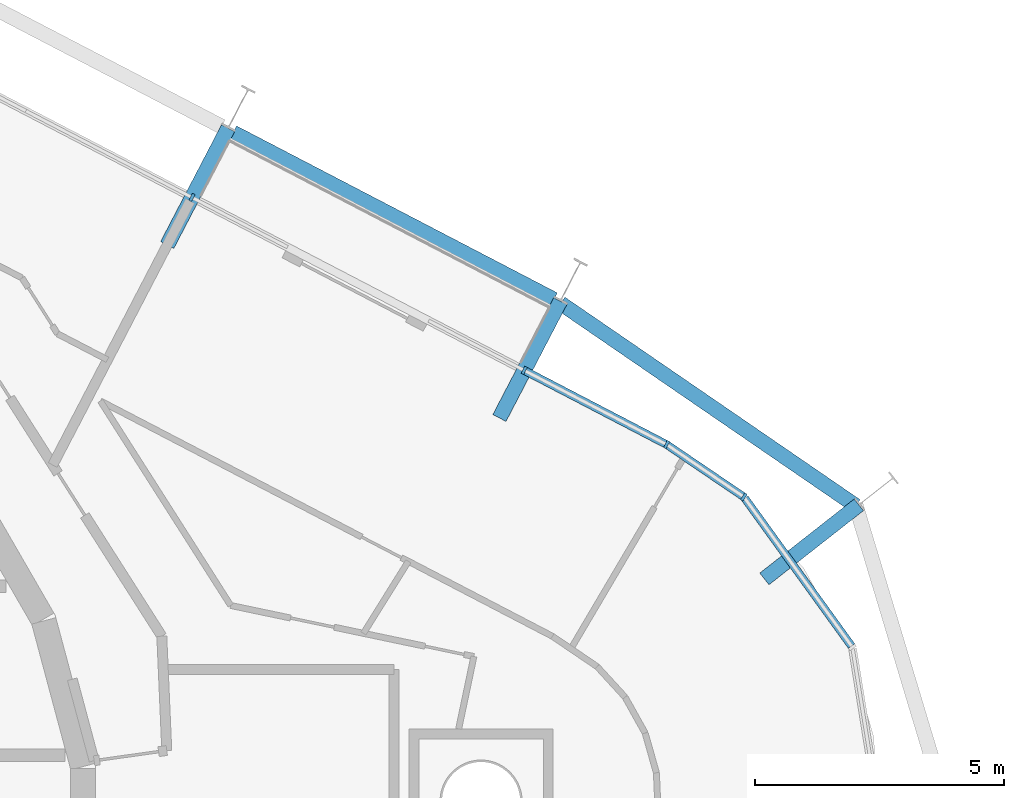
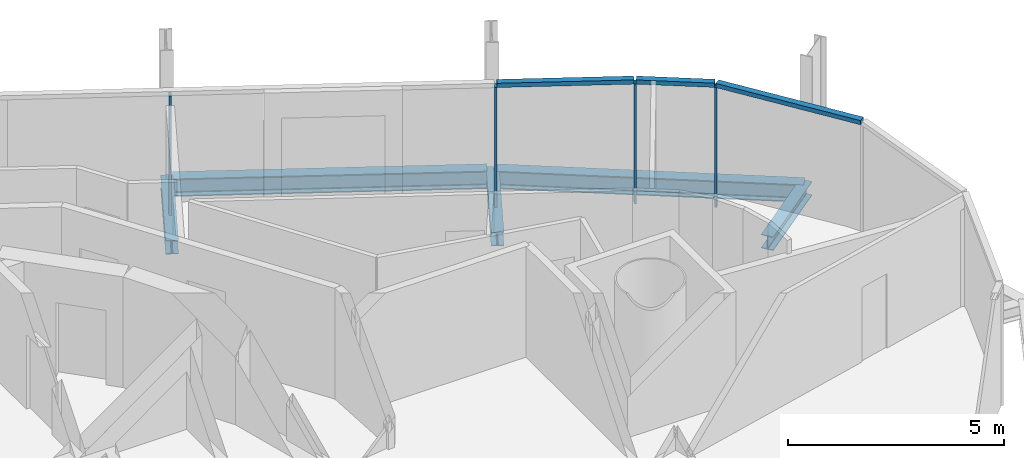
# One storey, part 9 of 18: 7 members, 5 beams, 2 elements without a shape of their own.
"""IFC4 building model written with IfcOpenShell, lengths in metres."""

from ifc_helpers import new_model, si_unit, direction, frame, origin, origin_2d, place, context, subcontext, project, spatial, rectangle, i_section, extrude, material, layer, layer_set, material_profile, profile_set, type_object, element, aggregate, save


model = new_model("IFC4")

# Units and contexts
model_context = context("Model", 3, precision=1e-05, world=origin(), true_north=direction((0.0, 1.0)))
body_context = subcontext(model_context, "Body", "Model", "MODEL_VIEW")
ifc_project = project(units=[si_unit("LENGTHUNIT", "METRE"), si_unit("AREAUNIT", "SQUARE_METRE"), si_unit("VOLUMEUNIT", "CUBIC_METRE"), si_unit("PLANEANGLEUNIT", "RADIAN"), si_unit("MASSUNIT", "GRAM", prefix="KILO")], contexts=[model_context])

# Site, building, storey
site_placement = place(None, origin())
site = spatial("IfcSite", under=ifc_project, at=site_placement, CompositionType="ELEMENT")
building_placement = place(site_placement, origin())
building = spatial("IfcBuilding", under=site, at=building_placement, Name="Spindle Arch Residences", CompositionType="ELEMENT")
storey_placement = place(building_placement, frame((0.0, 0.0, 230.199951171875)))
storey = spatial("IfcBuildingStorey", under=building, at=storey_placement, Name="L58", CompositionType="ELEMENT", Elevation=230.199951171875)

# Curtain wall, members
ifc_material_1 = material(Name="Aluminium bronze unitised frame with tinted glass", Category="aluminium")
ifc_layer_1 = layer(ifc_material_1, 0.159912109375)
ifc_layer_set_1 = layer_set([ifc_layer_1], Name="CW-D corner wall on the fillet arcs")
curtain_wall_type_1 = type_object("IfcCurtainWallType", Name="CW-D corner wall on the fillet arcs", PredefinedType="NOTDEFINED", material=ifc_layer_set_1)
curtain_wall_1_placement = place(storey_placement, origin())
curtain_wall_1 = element("IfcCurtainWall", 1, at=curtain_wall_1_placement, inside=storey, type_object=curtain_wall_type_1, Name="CW-D L58 run 1", PredefinedType="NOTDEFINED")
ifc_material_2 = material(Name="Aluminium bronze anodised mullion", Category="aluminium")
ifc_material_profile_1 = material_profile(ifc_material_2, rectangle(XDim=0.159912109375, YDim=0.06005859375, at=origin_2d()), Name="MU 60x160")
ifc_profile_set_1 = profile_set([ifc_material_profile_1], Name="Aluminium bronze anodised mullion")
member_type_1 = type_object("IfcMemberType", Name="Bronze mullion 60x160", PredefinedType="MULLION", material=ifc_profile_set_1)
member_1_placement = place(storey_placement, frame((24.93310546875, 6.971435546875, -0.3798828125), z_axis=(0.0, 0.0, 1.0), x_axis=(-0.561602105546, -0.827407441981, 0.0)))
member_1 = element("IfcMember", 2, at=member_1_placement, type_object=member_type_1, Name="CW-D mullion 05", PredefinedType="MULLION", context=body_context, shape_type="SweptSolid", body=[
    extrude(rectangle(XDim=0.159912109375, YDim=0.06005859375, at=origin_2d()), origin(), (0.0, 0.0, 1.0), 3.3798828125),
])
member_2_placement = place(storey_placement, frame((23.380859375, 8.02490234375, -0.3798828125), z_axis=(0.0, 0.0, 1.0), x_axis=(-0.461748613235, -0.887010833178, 0.0)))
member_2 = element("IfcMember", 3, at=member_2_placement, type_object=member_type_1, Name="CW-D mullion 06", PredefinedType="MULLION", context=body_context, shape_type="SweptSolid", body=[
    extrude(rectangle(XDim=0.159912109375, YDim=0.06005859375, at=origin_2d()), origin(), (0.0, 0.0, 1.0), 3.3798828125),
])

ifc_material_3 = material(Name="Aluminium bronze unitised frame with tinted glass", Category="aluminium")
ifc_layer_2 = layer(ifc_material_3, 0.159912109375)
ifc_layer_set_2 = layer_set([ifc_layer_2], Name="CW-C typical residential unitised wall")
curtain_wall_type_2 = type_object("IfcCurtainWallType", Name="CW-C typical residential unitised wall", PredefinedType="NOTDEFINED", material=ifc_layer_set_2)
curtain_wall_2_placement = place(storey_placement, origin())
curtain_wall_2 = element("IfcCurtainWall", 4, at=curtain_wall_2_placement, inside=storey, type_object=curtain_wall_type_2, Name="CW-C L58 run 2", PredefinedType="NOTDEFINED")
member_3_placement = place(storey_placement, frame((20.517333984375, 9.515625, -0.3798828125), z_axis=(0.0, 0.0, 1.0), x_axis=(-0.461748613235, -0.887010833178, 0.0)))
member_3 = element("IfcMember", 5, at=member_3_placement, type_object=member_type_1, Name="CW-C mullion 05", PredefinedType="MULLION", context=body_context, shape_type="SweptSolid", body=[
    extrude(rectangle(XDim=0.159912109375, YDim=0.06005859375, at=origin_2d()), origin(), (0.0, 0.0, 1.0), 3.3798828125),
])
member_4_placement = place(storey_placement, frame((13.837890625, 12.99267578125, -0.3798828125), z_axis=(0.0, 0.0, 1.0), x_axis=(-0.461748613235, -0.887010833178, 0.0)))
member_4 = element("IfcMember", 6, at=member_4_placement, type_object=member_type_1, Name="CW-C mullion 06", PredefinedType="MULLION", context=body_context, shape_type="SweptSolid", body=[
    extrude(rectangle(XDim=0.159912109375, YDim=0.06005859375, at=origin_2d()), origin(), (0.0, 0.0, 1.0), 3.3798828125),
])
aggregate(curtain_wall_2, [member_3, member_4])

# Member
ifc_material_4 = material(Name="Aluminium bronze anodised transom", Category="aluminium")
ifc_material_profile_2 = material_profile(ifc_material_4, rectangle(XDim=0.159912109375, YDim=0.1201171875, at=origin_2d()), Name="TR 120x160")
ifc_profile_set_2 = profile_set([ifc_material_profile_2], Name="Aluminium bronze anodised transom")
member_type_2 = type_object("IfcMemberType", Name="Bronze transom 120x160", PredefinedType="USERDEFINED", material=ifc_profile_set_2)
member_5_placement = place(storey_placement, frame((27.097412109375, 3.974365234375, 3.06005859375), z_axis=(-0.585456519469, 0.810703807695, 0.0), x_axis=(-0.810703807695, -0.585456519469, 0.0)))
member_5 = element("IfcMember", 7, at=member_5_placement, type_object=member_type_2, Name="CW-D transom 04", ObjectType="TRANSOM", PredefinedType="USERDEFINED", context=body_context, shape_type="SweptSolid", body=[
    extrude(rectangle(XDim=0.159912109375, YDim=0.1201171875, at=origin_2d()), origin(), (0.0, 0.0, 1.0), 3.666748046875),
])

member_6_placement = place(storey_placement, frame((24.908447265625, 6.98828125, 3.06005859375), z_axis=(-0.827451234698, 0.561537580396, 0.0), x_axis=(-0.561537580396, -0.827451234698, 0.0)))
member_6 = element("IfcMember", 8, at=member_6_placement, type_object=member_type_2, Name="CW-D transom 05", ObjectType="TRANSOM", PredefinedType="USERDEFINED", context=body_context, shape_type="SweptSolid", body=[
    extrude(rectangle(XDim=0.159912109375, YDim=0.1201171875, at=origin_2d()), origin(), (0.0, 0.0, 1.0), 1.816162109375),
])

member_7_placement = place(storey_placement, frame((23.354248046875, 8.038818359375, 3.06005859375), z_axis=(-0.886987077292, 0.461794245002, 0.0), x_axis=(-0.461794245002, -0.886987077292, 0.0)))
member_7 = element("IfcMember", 9, at=member_7_placement, type_object=member_type_2, Name="CW-D transom 06", ObjectType="TRANSOM", PredefinedType="USERDEFINED", context=body_context, shape_type="SweptSolid", body=[
    extrude(rectangle(XDim=0.159912109375, YDim=0.1201171875, at=origin_2d()), origin(), (0.0, 0.0, 1.0), 3.16845703125),
])

aggregate(curtain_wall_1, [member_5, member_1, member_6, member_2, member_7])

# Beams
ifc_material_5 = material(Name="Steel S460ML, intumescent coating R 120", Category="steel")
ifc_material_profile_3 = material_profile(ifc_material_5, i_section(OverallWidth=0.300048828125, OverallDepth=0.5, WebThickness=0.014404296875, FlangeThickness=0.028076171875, FilletRadius=0.027099609375, at=origin_2d()), Name="HEB 500")
ifc_profile_set_3 = profile_set([ifc_material_profile_3], Name="Steel S460ML, intumescent coating R 120")
beam_type_1 = type_object("IfcBeamType", Name="Exoskeleton edge beam HEB 500", PredefinedType="BEAM", material=ifc_profile_set_3)
beam_1_placement = place(storey_placement, frame((27.1845703125, 6.7939453125, -0.6298828125), z_axis=(-0.82461761875, 0.565690536289, 0.0), x_axis=(-0.565690536289, -0.82461761875, 0.0)))
element("IfcBeam", 10, at=beam_1_placement, inside=storey, type_object=beam_type_1, Name="Exoskeleton edge beam 5", PredefinedType="BEAM", context=body_context, shape_type="SweptSolid", body=[
    extrude(i_section(OverallWidth=0.300048828125, OverallDepth=0.5, WebThickness=0.014404296875, FlangeThickness=0.028076171875, FilletRadius=0.027099609375, at=origin_2d()), origin(), (0.0, 0.0, 1.0), 7.196044921875),
])
beam_2_placement = place(storey_placement, frame((21.113037109375, 10.94189453125, -0.6298828125), z_axis=(-0.887028136443, 0.461715372452, 0.0), x_axis=(-0.461715372452, -0.887028136443, 0.0)))
element("IfcBeam", 11, at=beam_2_placement, inside=storey, type_object=beam_type_1, Name="Exoskeleton edge beam 6", PredefinedType="BEAM", context=body_context, shape_type="SweptSolid", body=[
    extrude(i_section(OverallWidth=0.300048828125, OverallDepth=0.5, WebThickness=0.014404296875, FlangeThickness=0.028076171875, FilletRadius=0.027099609375, at=origin_2d()), origin(), (0.0, 0.0, 1.0), 7.27001953125),
])
ifc_material_6 = material(Name="Steel S460ML, intumescent coating R 120", Category="steel")
ifc_material_profile_4 = material_profile(ifc_material_6, i_section(OverallWidth=0.300048828125, OverallDepth=0.389892578125, WebThickness=0.010986328125, FlangeThickness=0.01904296875, FilletRadius=0.027099609375, at=origin_2d()), Name="HEA 400")
ifc_profile_set_4 = profile_set([ifc_material_profile_4], Name="Steel S460ML, intumescent coating R 120")
beam_type_2 = type_object("IfcBeamType", Name="Floor outrigger HEA 400", PredefinedType="BEAM", material=ifc_profile_set_4)
beam_3_placement = place(storey_placement, frame((27.244140625, 6.81201171875, -0.574951171875), z_axis=(-0.786970935565, -0.616990070079, 0.0), x_axis=(0.616990070079, -0.786970935565, 0.0)))
element("IfcBeam", 12, at=beam_3_placement, inside=storey, type_object=beam_type_2, Name="Floor outrigger 5", PredefinedType="BEAM", context=body_context, shape_type="SweptSolid", body=[
    extrude(i_section(OverallWidth=0.300048828125, OverallDepth=0.389892578125, WebThickness=0.010986328125, FlangeThickness=0.01904296875, FilletRadius=0.027099609375, at=origin_2d()), origin(), (0.0, 0.0, 1.0), 2.412841796875),
])
for number, where, z_axis, x_axis, name in (
    (13, (21.2421875, 10.908203125, -0.574951171875), (-0.461784931359, -0.886991926215, 0.0), (0.886991926215, -0.461784931359, 0.0), "Floor outrigger 6"),
    (14, (14.56298828125, 14.38525390625, -0.574951171875), (-0.461784931359, -0.886991926215, 0.0), (0.886991926215, -0.461784931359, 0.0), "Floor outrigger 7"),
):
    element("IfcBeam", number, at=place(storey_placement, frame(where, z_axis=z_axis, x_axis=x_axis)), inside=storey, type_object=beam_type_2, Name=name, PredefinedType="BEAM", context=body_context, shape_type="SweptSolid", body=[
        extrude(i_section(OverallWidth=0.300048828125, OverallDepth=0.389892578125, WebThickness=0.010986328125, FlangeThickness=0.01904296875, FilletRadius=0.027099609375, at=origin_2d()), origin(), (0.0, 0.0, 1.0), 2.64990234375),
    ])

save(model, "model.ifc")
